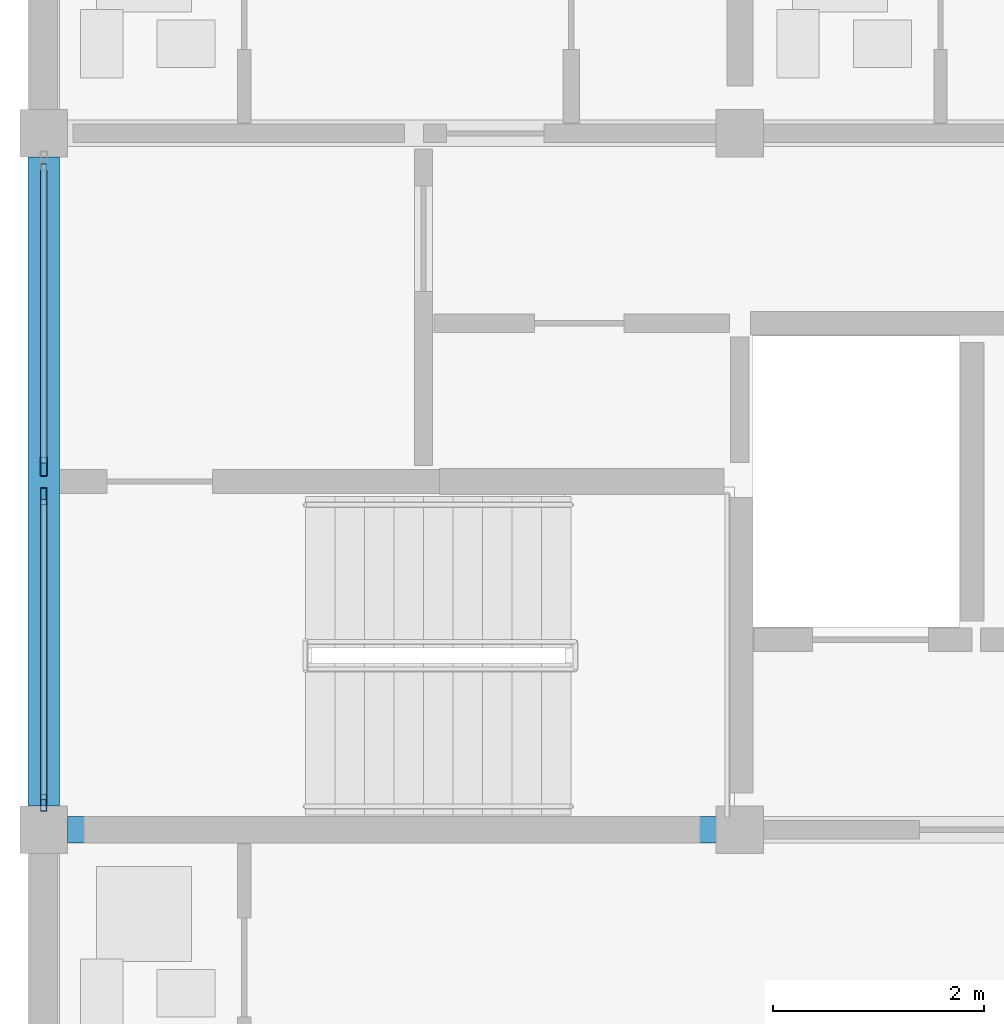
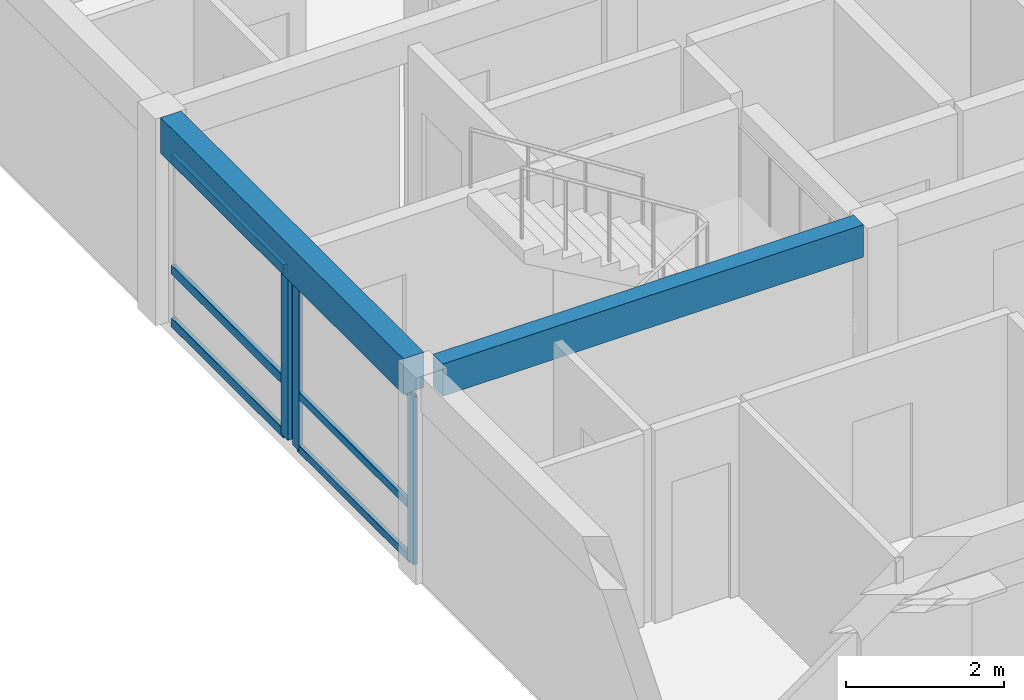
# One storey, part 2 of 22: 9 members, 2 beams, 2 elements without a shape of their own.
"""IFC4 building model written with IfcOpenShell, lengths in metres."""

from ifc_helpers import new_model, si_unit, direction, frame, origin, origin_2d, place, context, subcontext, project, spatial, rectangle, hollow_rectangle, extrude, material, material_profile, profile_set, type_object, element, aggregate, save


model = new_model("IFC4")

# Units and contexts
model_context = context("Model", 3, precision=1e-05, world=origin(), true_north=direction((0.0, 1.0)))
body_context = subcontext(model_context, "Body", "Model", "MODEL_VIEW")
ifc_project = project(units=[si_unit("LENGTHUNIT", "METRE"), si_unit("AREAUNIT", "SQUARE_METRE"), si_unit("VOLUMEUNIT", "CUBIC_METRE"), si_unit("PLANEANGLEUNIT", "RADIAN"), si_unit("MASSUNIT", "GRAM", prefix="KILO")], contexts=[model_context])

# Site, building, storey
site_placement = place(None, origin())
site = spatial("IfcSite", under=ifc_project, at=site_placement, CompositionType="ELEMENT")
building_placement = place(site_placement, origin())
building = spatial("IfcBuilding", under=site, at=building_placement, Name="Kernevlak Ridge Housing Community", CompositionType="ELEMENT")
storey_placement = place(building_placement, frame((0.0, 0.0, 43.60009765625)))
storey = spatial("IfcBuildingStorey", under=building, at=storey_placement, Name="L13", CompositionType="ELEMENT", Elevation=43.60009765625)

# Beam
ifc_material_1 = material(Name="Concrete C35/45", Category="concrete")
ifc_material_profile_1 = material_profile(ifc_material_1, rectangle(XDim=0.25, YDim=0.5, at=origin_2d()), Name="RC 250x500")
ifc_profile_set_1 = profile_set([ifc_material_profile_1], Name="Concrete C35/45")
beam_type_1 = type_object("IfcBeamType", Name="B-06", PredefinedType="T_BEAM", material=ifc_profile_set_1)
beam_1_placement = place(storey_placement, frame((15.824951171875, 82.60009765625, 2.949951171875), z_axis=(1.0, 0.0, 0.0), x_axis=(0.0, 1.0, 0.0)))
element("IfcBeam", 1, at=beam_1_placement, inside=storey, type_object=beam_type_1, Name="Beam B-06 L13 400", PredefinedType="T_BEAM", context=body_context, shape_type="SweptSolid", body=[
    extrude(rectangle(XDim=0.25, YDim=0.5, at=origin_2d()), origin(), (0.0, 0.0, 1.0), 6.150146484375),
])

# Curtain wall, members
ifc_material_2 = material(Name="Aluminium EN AW-6060 anodised and laminated glass", Category="aluminium")
curtain_wall_type_1 = type_object("IfcCurtainWallType", Name="CW-01", PredefinedType="NOTDEFINED", material=ifc_material_2)
curtain_wall_1_placement = place(storey_placement, origin())
curtain_wall_1 = element("IfcCurtainWall", 2, at=curtain_wall_1_placement, inside=storey, type_object=curtain_wall_type_1, Name="Curtain wall CW-01 CW-L13-040", PredefinedType="NOTDEFINED")
ifc_material_3 = material(Name="Aluminium EN AW-6060 anodised", Category="aluminium")
ifc_material_profile_2 = material_profile(ifc_material_3, hollow_rectangle(XDim=0.06005859375, YDim=0.159912109375, WallThickness=0.00390625, InnerFilletRadius=0.001953125, OuterFilletRadius=0.00390625, at=origin_2d()), Name="ALU 60x160x4")
ifc_profile_set_2 = profile_set([ifc_material_profile_2], Name="Aluminium EN AW-6060 anodised")
member_type_1 = type_object("IfcMemberType", Name="MU-02", PredefinedType="MULLION", material=ifc_profile_set_2)
member_1_placement = place(storey_placement, frame((15.60009765625, 82.85498046875, 0.0), z_axis=(0.0, 0.0, 1.0), x_axis=(-1.0, 0.0, 0.0)))
member_1 = element("IfcMember", 3, at=member_1_placement, type_object=member_type_1, Name="CW-01 mullion 1", PredefinedType="MULLION", context=body_context, shape_type="SweptSolid", body=[
    extrude(hollow_rectangle(XDim=0.06005859375, YDim=0.159912109375, WallThickness=0.00390625, InnerFilletRadius=0.001953125, OuterFilletRadius=0.00390625, at=origin_2d()), origin(), (0.0, 0.0, 1.0), 2.599853515625),
])
member_2_placement = place(storey_placement, frame((15.60009765625, 85.760009765625, 0.0), z_axis=(0.0, 0.0, 1.0), x_axis=(-1.0, 0.0, 0.0)))
member_2 = element("IfcMember", 4, at=member_2_placement, type_object=member_type_1, Name="CW-01 mullion 2", PredefinedType="MULLION", context=body_context, shape_type="SweptSolid", body=[
    extrude(hollow_rectangle(XDim=0.06005859375, YDim=0.159912109375, WallThickness=0.00390625, InnerFilletRadius=0.001953125, OuterFilletRadius=0.00390625, at=origin_2d()), origin(), (0.0, 0.0, 1.0), 2.599853515625),
])

# Curtain wall, member
curtain_wall_type_2 = type_object("IfcCurtainWallType", Name="CW-08", PredefinedType="NOTDEFINED", material=ifc_material_2)
curtain_wall_2_placement = place(storey_placement, origin())
curtain_wall_2 = element("IfcCurtainWall", 5, at=curtain_wall_2_placement, inside=storey, type_object=curtain_wall_type_2, Name="Curtain wall CW-08 CW-L13-041", PredefinedType="NOTDEFINED")
ifc_material_profile_3 = material_profile(ifc_material_3, hollow_rectangle(XDim=0.06494140625, YDim=0.179931640625, WallThickness=0.00439453125, InnerFilletRadius=0.001953125, OuterFilletRadius=0.00439453125, at=origin_2d()), Name="ALU 65x180x4.5")
ifc_profile_set_3 = profile_set([ifc_material_profile_3], Name="Aluminium EN AW-6060 anodised")
member_type_2 = type_object("IfcMemberType", Name="MU-03", PredefinedType="MULLION", material=ifc_profile_set_3)
member_3_placement = place(storey_placement, frame((15.60009765625, 86.04248046875, 0.0), z_axis=(0.0, 0.0, 1.0), x_axis=(-1.0, 0.0, 0.0)))
member_3 = element("IfcMember", 6, at=member_3_placement, type_object=member_type_2, Name="CW-08 mullion 1", PredefinedType="MULLION", context=body_context, shape_type="SweptSolid", body=[
    extrude(hollow_rectangle(XDim=0.06494140625, YDim=0.179931640625, WallThickness=0.00439453125, InnerFilletRadius=0.001953125, OuterFilletRadius=0.00439453125, at=origin_2d()), origin(), (0.0, 0.0, 1.0), 2.599853515625),
])

# Beam
ifc_material_profile_4 = material_profile(ifc_material_1, rectangle(XDim=0.300048828125, YDim=0.550048828125, at=origin_2d()), Name="RC 300x550")
ifc_profile_set_4 = profile_set([ifc_material_profile_4], Name="Concrete C35/45")
beam_type_2 = type_object("IfcBeamType", Name="SP-01", PredefinedType="SPANDREL", material=ifc_profile_set_4)
beam_2_placement = place(storey_placement, frame((15.60009765625, 82.824951171875, 2.9248046875), z_axis=(0.0, 1.0, 0.0), x_axis=(-1.0, 0.0, 0.0)))
element("IfcBeam", 7, at=beam_2_placement, inside=storey, type_object=beam_type_2, Name="Beam SP-01 L13 416", PredefinedType="SPANDREL", context=body_context, shape_type="SweptSolid", body=[
    extrude(rectangle(XDim=0.300048828125, YDim=0.550048828125, at=origin_2d()), origin(), (0.0, 0.0, 1.0), 6.150146484375),
])

# Member
ifc_material_profile_5 = material_profile(ifc_material_3, hollow_rectangle(XDim=0.06005859375, YDim=0.1201171875, WallThickness=0.00390625, InnerFilletRadius=0.001953125, OuterFilletRadius=0.00390625, at=origin_2d()), Name="ALU 60x120x4")
ifc_profile_set_5 = profile_set([ifc_material_profile_5], Name="Aluminium EN AW-6060 anodised")
member_type_3 = type_object("IfcMemberType", Name="TM-02", PredefinedType="USERDEFINED", material=ifc_profile_set_5)
member_4_placement = place(storey_placement, frame((15.60009765625, 82.885009765625, 0.02978515625), z_axis=(0.0, 1.0, 0.0), x_axis=(-1.0, 0.0, 0.0)))
member_4 = element("IfcMember", 8, at=member_4_placement, type_object=member_type_3, Name="CW-01 transom 1.1", ObjectType="TRANSOM", PredefinedType="USERDEFINED", context=body_context, shape_type="SweptSolid", body=[
    extrude(hollow_rectangle(XDim=0.06005859375, YDim=0.1201171875, WallThickness=0.00390625, InnerFilletRadius=0.001953125, OuterFilletRadius=0.00390625, at=origin_2d()), origin(), (0.0, 0.0, 1.0), 2.844970703125),
])

member_5_placement = place(storey_placement, frame((15.60009765625, 82.885009765625, 0.849853515625), z_axis=(0.0, 1.0, 0.0), x_axis=(-1.0, 0.0, 0.0)))
member_5 = element("IfcMember", 9, at=member_5_placement, type_object=member_type_3, Name="CW-01 transom 1.2", ObjectType="TRANSOM", PredefinedType="USERDEFINED", context=body_context, shape_type="SweptSolid", body=[
    extrude(hollow_rectangle(XDim=0.06005859375, YDim=0.1201171875, WallThickness=0.00390625, InnerFilletRadius=0.001953125, OuterFilletRadius=0.00390625, at=origin_2d()), origin(), (0.0, 0.0, 1.0), 2.844970703125),
])

member_6_placement = place(storey_placement, frame((15.60009765625, 82.885009765625, 2.56982421875), z_axis=(0.0, 1.0, 0.0), x_axis=(-1.0, 0.0, 0.0)))
member_6 = element("IfcMember", 10, at=member_6_placement, type_object=member_type_3, Name="CW-01 transom 1.3", ObjectType="TRANSOM", PredefinedType="USERDEFINED", context=body_context, shape_type="SweptSolid", body=[
    extrude(hollow_rectangle(XDim=0.06005859375, YDim=0.1201171875, WallThickness=0.00390625, InnerFilletRadius=0.001953125, OuterFilletRadius=0.00390625, at=origin_2d()), origin(), (0.0, 0.0, 1.0), 2.844970703125),
])

aggregate(curtain_wall_1, [member_1, member_2, member_4, member_5, member_6])

ifc_material_profile_6 = material_profile(ifc_material_3, hollow_rectangle(XDim=0.06494140625, YDim=0.139892578125, WallThickness=0.00390625, InnerFilletRadius=0.001953125, OuterFilletRadius=0.00390625, at=origin_2d()), Name="ALU 65x140x4")
ifc_profile_set_6 = profile_set([ifc_material_profile_6], Name="Aluminium EN AW-6060 anodised")
member_type_4 = type_object("IfcMemberType", Name="TM-03", PredefinedType="USERDEFINED", material=ifc_profile_set_6)
member_7_placement = place(storey_placement, frame((15.60009765625, 86.074951171875, 0.032470703125), z_axis=(0.0, 1.0, 0.0), x_axis=(-1.0, 0.0, 0.0)))
member_7 = element("IfcMember", 11, at=member_7_placement, type_object=member_type_4, Name="CW-08 transom 1.1", ObjectType="TRANSOM", PredefinedType="USERDEFINED", context=body_context, shape_type="SweptSolid", body=[
    extrude(hollow_rectangle(XDim=0.06494140625, YDim=0.139892578125, WallThickness=0.00390625, InnerFilletRadius=0.001953125, OuterFilletRadius=0.00390625, at=origin_2d()), origin(), (0.0, 0.0, 1.0), 2.8349609375),
])

member_8_placement = place(storey_placement, frame((15.60009765625, 86.074951171875, 0.849853515625), z_axis=(0.0, 1.0, 0.0), x_axis=(-1.0, 0.0, 0.0)))
member_8 = element("IfcMember", 12, at=member_8_placement, type_object=member_type_4, Name="CW-08 transom 1.2", ObjectType="TRANSOM", PredefinedType="USERDEFINED", context=body_context, shape_type="SweptSolid", body=[
    extrude(hollow_rectangle(XDim=0.06494140625, YDim=0.139892578125, WallThickness=0.00390625, InnerFilletRadius=0.001953125, OuterFilletRadius=0.00390625, at=origin_2d()), origin(), (0.0, 0.0, 1.0), 2.8349609375),
])

member_9_placement = place(storey_placement, frame((15.60009765625, 86.074951171875, 2.5673828125), z_axis=(0.0, 1.0, 0.0), x_axis=(-1.0, 0.0, 0.0)))
member_9 = element("IfcMember", 13, at=member_9_placement, type_object=member_type_4, Name="CW-08 transom 1.3", ObjectType="TRANSOM", PredefinedType="USERDEFINED", context=body_context, shape_type="SweptSolid", body=[
    extrude(hollow_rectangle(XDim=0.06494140625, YDim=0.139892578125, WallThickness=0.00390625, InnerFilletRadius=0.001953125, OuterFilletRadius=0.00390625, at=origin_2d()), origin(), (0.0, 0.0, 1.0), 2.8349609375),
])

aggregate(curtain_wall_2, [member_3, member_7, member_8, member_9])

save(model, "model.ifc")
